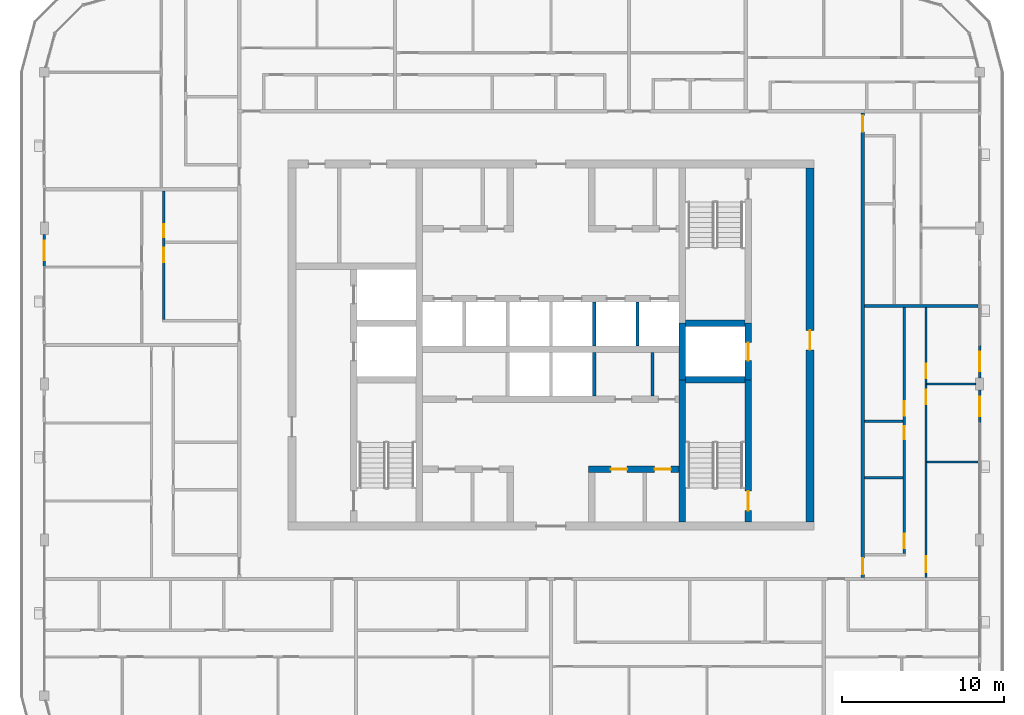
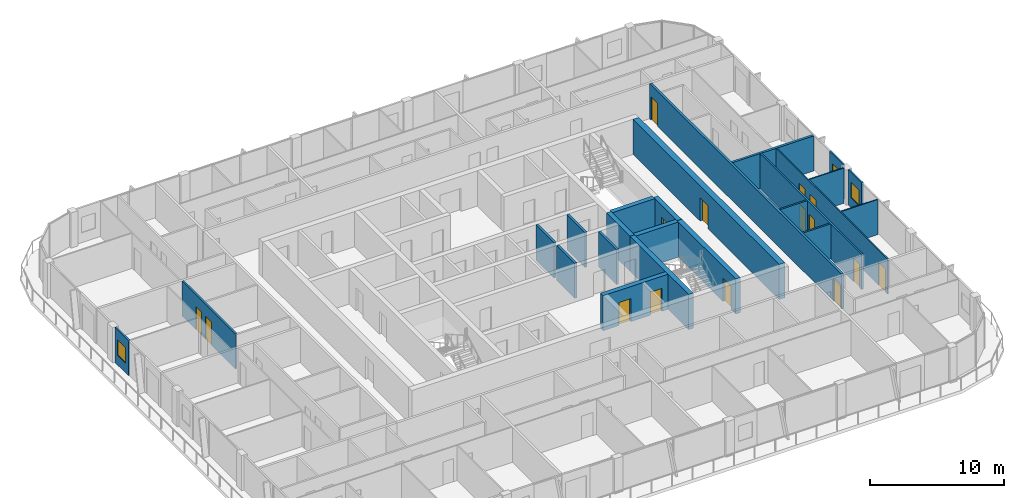
# One storey, part 12 of 21: 24 walls, 15 doors, 3 windows, 18 openings.
"""IFC4 building model written with IfcOpenShell, lengths in metres."""

from ifc_helpers import new_model, si_unit, direction, frame, frame_2d, origin, place, context, subcontext, project, spatial, rectangle, extrude, material, layer, layer_set, type_object, element, fill, save


model = new_model("IFC4")

# Units and contexts
model_context = context("Model", 3, precision=1e-05, world=origin(), true_north=direction((0.0, 1.0)))
body_context = subcontext(model_context, "Body", "Model", "MODEL_VIEW")
ifc_project = project(units=[si_unit("LENGTHUNIT", "METRE"), si_unit("AREAUNIT", "SQUARE_METRE"), si_unit("VOLUMEUNIT", "CUBIC_METRE"), si_unit("PLANEANGLEUNIT", "RADIAN"), si_unit("MASSUNIT", "GRAM", prefix="KILO")], contexts=[model_context])

# Site, building, storey
site_placement = place(None, origin())
site = spatial("IfcSite", under=ifc_project, at=site_placement, CompositionType="ELEMENT")
building_placement = place(site_placement, origin())
building = spatial("IfcBuilding", under=site, at=building_placement, Name="Madar Terraces", CompositionType="ELEMENT")
storey_placement = place(building_placement, frame((0.0, 0.0, 272.10009765625)))
storey = spatial("IfcBuildingStorey", under=building, at=storey_placement, Name="L71", CompositionType="ELEMENT", Elevation=272.10009765625)

# Walls
ifc_material_1 = material(Name="Concrete C50/60", Category="concrete")
ifc_layer_1 = layer(ifc_material_1, 0.39990234375)
ifc_layer_set_1 = layer_set([ifc_layer_1], Name="Concrete C50/60 (CIW6 RC wall 400)")
wall_type_1 = type_object("IfcWallType", Name="CIW6 RC wall 400", PredefinedType="SHEAR", material=ifc_layer_set_1)
wall_1_placement = place(storey_placement, frame((39.300048828125, 15.5, 0.0), z_axis=(0.0, 0.0, 1.0), x_axis=(0.0, 1.0, 0.0)))
element("IfcWall", 1, at=wall_1_placement, inside=storey, type_object=wall_type_1, Name="CORE SHAFT WALL", PredefinedType="SHEAR", context=body_context, shape_type="SweptSolid", body=[
    extrude(rectangle(XDim=8.75, YDim=0.39990234375, at=frame_2d((4.375, 0.0))), origin(), (0.0, 0.0, 1.0), 3.199951171875),
])
wall_2_placement = place(storey_placement, frame((39.300048828125, 24.25, 0.0), z_axis=(0.0, 0.0, 1.0), x_axis=(0.0, 1.0, 0.0)))
element("IfcWall", 2, at=wall_2_placement, inside=storey, type_object=wall_type_1, Name="CORE SHAFT WALL", PredefinedType="SHEAR", context=body_context, shape_type="SweptSolid", body=[
    extrude(rectangle(XDim=3.5, YDim=0.39990234375, at=frame_2d((1.75, 0.0))), origin(), (0.0, 0.0, 1.0), 3.199951171875),
])

# Wall, opening, door
wall_3_placement = place(storey_placement, frame((43.35009765625, 15.5, 0.0), z_axis=(0.0, 0.0, 1.0), x_axis=(0.0, 1.0, 0.0)))
wall_3 = element("IfcWall", 3, at=wall_3_placement, inside=storey, type_object=wall_type_1, Name="CORE SHAFT WALL", PredefinedType="SHEAR", context=body_context, shape_type="SweptSolid", body=[
    extrude(rectangle(XDim=8.75, YDim=0.39990234375, at=frame_2d((4.375, 0.0))), origin(), (0.0, 0.0, 1.0), 3.199951171875),
])
opening_1_placement = place(wall_3_placement, frame((0.699951171875, 0.0, 0.0)))
opening_1 = element("IfcOpeningElement", 4, at=opening_1_placement, cuts=wall_3, Name="Opening SD1", PredefinedType="OPENING", context=body_context, shape_type="SweptSolid", body=[
    extrude(rectangle(XDim=1.199951171875, YDim=2.10009765625, at=frame_2d((0.60009765625, 1.050048828125))), frame((0.0, 0.2099609375, 0.0), z_axis=(0.0, -1.0, 0.0), x_axis=(1.0, 0.0, 0.0)), (0.0, 0.0, 1.0), 0.419921875),
])
ifc_material_2 = material(Name="Steel door leaf", Category="steel")
door_type_1 = type_object("IfcDoorType", Name="Stair door 1200 x 2100", OperationType="NOTDEFINED", PredefinedType="DOOR", material=ifc_material_2)
door_1_placement = place(opening_1_placement, origin())
door_1 = element("IfcDoor", 5, at=door_1_placement, inside=storey, type_object=door_type_1, Name="STAIR DOOR", OperationType="SINGLE_SWING_RIGHT", OverallHeight=2.10009765625, OverallWidth=1.199951171875, PredefinedType="DOOR", context=body_context, shape_type="SweptSolid", body=[
    extrude(rectangle(XDim=1.199951171875, YDim=2.10009765625, at=frame_2d((0.60009765625, 1.050048828125))), frame((0.0, 0.02490234375, 0.0), z_axis=(0.0, -1.0, 0.0), x_axis=(1.0, 0.0, 0.0)), (0.0, 0.0, 1.0), 0.050048828125),
])
fill(opening_1, door_1)

wall_4_placement = place(storey_placement, frame((43.35009765625, 24.25, 0.0), z_axis=(0.0, 0.0, 1.0), x_axis=(0.0, 1.0, 0.0)))
wall_4 = element("IfcWall", 6, at=wall_4_placement, inside=storey, type_object=wall_type_1, Name="CORE SHAFT WALL", PredefinedType="SHEAR", context=body_context, shape_type="SweptSolid", body=[
    extrude(rectangle(XDim=3.5, YDim=0.39990234375, at=frame_2d((1.75, 0.0))), origin(), (0.0, 0.0, 1.0), 3.199951171875),
])
opening_2_placement = place(wall_4_placement, frame((1.199951171875, 0.0, 0.0)))
opening_2 = element("IfcOpeningElement", 7, at=opening_2_placement, cuts=wall_4, Name="Opening LD", PredefinedType="OPENING", context=body_context, shape_type="SweptSolid", body=[
    extrude(rectangle(XDim=1.10009765625, YDim=2.10009765625, at=frame_2d((0.550048828125, 1.050048828125))), frame((0.0, 0.2099609375, 0.0), z_axis=(0.0, -1.0, 0.0), x_axis=(1.0, 0.0, 0.0)), (0.0, 0.0, 1.0), 0.419921875),
])
ifc_material_3 = material(Name="Stainless steel panel", Category="steel")
door_type_2 = type_object("IfcDoorType", Name="Lift landing door 1100 x 2100", OperationType="DOUBLE_DOOR_SLIDING", PredefinedType="DOOR", material=ifc_material_3)
door_2_placement = place(opening_2_placement, origin())
door_2 = element("IfcDoor", 8, at=door_2_placement, inside=storey, type_object=door_type_2, Name="LIFT LANDING DOOR", OperationType="DOUBLE_DOOR_SLIDING", OverallHeight=2.10009765625, OverallWidth=1.10009765625, PredefinedType="DOOR", context=body_context, shape_type="SweptSolid", body=[
    extrude(rectangle(XDim=1.10009765625, YDim=2.10009765625, at=frame_2d((0.550048828125, 1.050048828125))), frame((0.0, 0.02490234375, 0.0), z_axis=(0.0, -1.0, 0.0), x_axis=(1.0, 0.0, 0.0)), (0.0, 0.0, 1.0), 0.050048828125),
])
fill(opening_2, door_2)

# Walls
for number, where, z_axis, x_axis, name in (
    (9, (39.5, 24.25, 0.0), (0.0, 0.0, 1.0), (1.0, 0.0, 0.0), "CORE SHAFT WALL"),
    (10, (39.5, 27.75, 0.0), (0.0, 0.0, 1.0), (1.0, 0.0, 0.0), "CORE SHAFT WALL"),
):
    element("IfcWall", number, at=place(storey_placement, frame(where, z_axis=z_axis, x_axis=x_axis)), inside=storey, type_object=wall_type_1, Name=name, PredefinedType="SHEAR", context=body_context, shape_type="SweptSolid", body=[
        extrude(rectangle(XDim=3.64990234375, YDim=0.39990234375, at=frame_2d((1.824951171875, 0.0))), origin(), (0.0, 0.0, 1.0), 3.199951171875),
    ])

# Wall, openings, doors
wall_5_placement = place(storey_placement, frame((33.5, 18.75, 0.0), z_axis=(0.0, 0.0, 1.0), x_axis=(1.0, 0.0, 0.0)))
wall_5 = element("IfcWall", 11, at=wall_5_placement, inside=storey, type_object=wall_type_1, Name="CORE SHAFT WALL", PredefinedType="SHEAR", context=body_context, shape_type="SweptSolid", body=[
    extrude(rectangle(XDim=5.60009765625, YDim=0.39990234375, at=frame_2d((2.800048828125, 0.0))), origin(), (0.0, 0.0, 1.0), 3.199951171875),
])
opening_3_placement = place(wall_5_placement, frame((1.384033203125, 0.0, 0.0)))
opening_3 = element("IfcOpeningElement", 12, at=opening_3_placement, cuts=wall_5, Name="Opening KD2", PredefinedType="OPENING", context=body_context, shape_type="SweptSolid", body=[
    extrude(rectangle(XDim=1.0, YDim=2.10009765625, at=frame_2d((0.5, 1.050048828125))), frame((0.0, 0.2099609375, 0.0), z_axis=(0.0, -1.0, 0.0), x_axis=(1.0, 0.0, 0.0)), (0.0, 0.0, 1.0), 0.419921875),
])
opening_4_placement = place(wall_5_placement, frame((4.083984375, 0.0, 0.0)))
opening_4 = element("IfcOpeningElement", 13, at=opening_4_placement, cuts=wall_5, Name="Opening KD2", PredefinedType="OPENING", context=body_context, shape_type="SweptSolid", body=[
    extrude(rectangle(XDim=1.0, YDim=2.10009765625, at=frame_2d((0.5, 1.050048828125))), frame((0.0, 0.2099609375, 0.0), z_axis=(0.0, -1.0, 0.0), x_axis=(1.0, 0.0, 0.0)), (0.0, 0.0, 1.0), 0.419921875),
])
ifc_material_4 = material(Name="Steel door leaf", Category="steel")
door_type_3 = type_object("IfcDoorType", Name="Service room door 1000 x 2100", OperationType="NOTDEFINED", PredefinedType="DOOR", material=ifc_material_4)
door_3_placement = place(opening_3_placement, origin())
door_3 = element("IfcDoor", 14, at=door_3_placement, inside=storey, type_object=door_type_3, Name="SERVICE ROOM DOOR", OperationType="SINGLE_SWING_LEFT", OverallHeight=2.10009765625, OverallWidth=1.0, PredefinedType="DOOR", context=body_context, shape_type="SweptSolid", body=[
    extrude(rectangle(XDim=1.0, YDim=2.10009765625, at=frame_2d((0.5, 1.050048828125))), frame((0.0, 0.02490234375, 0.0), z_axis=(0.0, -1.0, 0.0), x_axis=(1.0, 0.0, 0.0)), (0.0, 0.0, 1.0), 0.050048828125),
])
fill(opening_3, door_3)
door_4_placement = place(opening_4_placement, origin())
door_4 = element("IfcDoor", 15, at=door_4_placement, inside=storey, type_object=door_type_3, Name="SERVICE ROOM DOOR", OperationType="SINGLE_SWING_RIGHT", OverallHeight=2.10009765625, OverallWidth=1.0, PredefinedType="DOOR", context=body_context, shape_type="SweptSolid", body=[
    extrude(rectangle(XDim=1.0, YDim=2.10009765625, at=frame_2d((0.5, 1.050048828125))), frame((0.0, 0.02490234375, 0.0), z_axis=(0.0, -1.0, 0.0), x_axis=(1.0, 0.0, 0.0)), (0.0, 0.0, 1.0), 0.050048828125),
])
fill(opening_4, door_4)

# Wall, opening, door
ifc_material_5 = material(Name="Concrete C50/60", Category="concrete")
ifc_layer_2 = layer(ifc_material_5, 0.5)
ifc_layer_set_2 = layer_set([ifc_layer_2], Name="Concrete C50/60 (CRW6 RC wall 500)")
wall_type_2 = type_object("IfcWallType", Name="CRW6 RC wall 500", PredefinedType="SHEAR", material=ifc_layer_set_2)
wall_6_placement = place(storey_placement, frame((47.14990234375, 15.5, 0.0), z_axis=(0.0, 0.0, 1.0), x_axis=(0.0, 1.0, 0.0)))
wall_6 = element("IfcWall", 16, at=wall_6_placement, inside=storey, type_object=wall_type_2, Name="CORE OUTER WALL", PredefinedType="SHEAR", context=body_context, shape_type="SweptSolid", body=[
    extrude(rectangle(XDim=21.800048828125, YDim=0.5, at=frame_2d((10.89990234375, 0.0))), origin(), (0.0, 0.0, 1.0), 3.199951171875),
])
opening_5_placement = place(wall_6_placement, frame((10.60009765625, 0.0, 0.0)))
opening_5 = element("IfcOpeningElement", 17, at=opening_5_placement, cuts=wall_6, Name="Opening SD1", PredefinedType="OPENING", context=body_context, shape_type="SweptSolid", body=[
    extrude(rectangle(XDim=1.199951171875, YDim=2.10009765625, at=frame_2d((0.60009765625, 1.050048828125))), frame((0.0, 0.260009765625, 0.0), z_axis=(0.0, -1.0, 0.0), x_axis=(1.0, 0.0, 0.0)), (0.0, 0.0, 1.0), 0.52001953125),
])
door_5_placement = place(opening_5_placement, origin())
door_5 = element("IfcDoor", 18, at=door_5_placement, inside=storey, type_object=door_type_1, Name="STAIR DOOR", OperationType="SINGLE_SWING_LEFT", OverallHeight=2.10009765625, OverallWidth=1.199951171875, PredefinedType="DOOR", context=body_context, shape_type="SweptSolid", body=[
    extrude(rectangle(XDim=1.199951171875, YDim=2.10009765625, at=frame_2d((0.60009765625, 1.050048828125))), frame((0.0, 0.02490234375, 0.0), z_axis=(0.0, -1.0, 0.0), x_axis=(1.0, 0.0, 0.0)), (0.0, 0.0, 1.0), 0.050048828125),
])
fill(opening_5, door_5)

# Walls
ifc_material_6 = material(Name="Masonry blockwork", Category="masonry")
ifc_layer_3 = layer(ifc_material_6, 0.199951171875)
ifc_layer_set_3 = layer_set([ifc_layer_3], Name="Core partition 200 blockwork")
wall_type_3 = type_object("IfcWallType", Name="Core partition 200 blockwork", PredefinedType="PARTITIONING", material=ifc_layer_set_3)
wall_7_placement = place(storey_placement, frame((37.457275390625, 23.25, 0.0), z_axis=(0.0, 0.0, 1.0), x_axis=(0.0, 1.0, 0.0)))
element("IfcWall", 19, at=wall_7_placement, inside=storey, type_object=wall_type_3, Name="SERVICE ROOM PARTITION", PredefinedType="PARTITIONING", context=body_context, shape_type="SweptSolid", body=[
    extrude(rectangle(XDim=2.699951171875, YDim=0.199951171875, at=frame_2d((1.35009765625, 0.0))), origin(), (0.0, 0.0, 1.0), 3.199951171875),
])
ifc_material_7 = material(Name="Concrete C40/50", Category="concrete")
ifc_layer_4 = layer(ifc_material_7, 0.199951171875)
ifc_layer_set_4 = layer_set([ifc_layer_4], Name="Core shaft dividing wall 200 C40/50")
wall_type_4 = type_object("IfcWallType", Name="Core shaft dividing wall 200 C40/50", PredefinedType="SOLIDWALL", material=ifc_layer_set_4)
for number, where, z_axis, x_axis, name in (
    (20, (33.86669921875, 23.25, 0.0), (0.0, 0.0, 1.0), (0.0, 1.0, 0.0), "SHAFT DIVIDING WALL"),
    (21, (33.86669921875, 26.35009765625, 0.0), (0.0, 0.0, 1.0), (0.0, 1.0, 0.0), "SHAFT DIVIDING WALL"),
    (22, (36.533447265625, 26.35009765625, 0.0), (0.0, 0.0, 1.0), (0.0, 1.0, 0.0), "SHAFT DIVIDING WALL"),
):
    element("IfcWall", number, at=place(storey_placement, frame(where, z_axis=z_axis, x_axis=x_axis)), inside=storey, type_object=wall_type_4, Name=name, PredefinedType="SOLIDWALL", context=body_context, shape_type="SweptSolid", body=[
        extrude(rectangle(XDim=2.699951171875, YDim=0.199951171875, at=frame_2d((1.35009765625, 0.0))), origin(), (0.0, 0.0, 1.0), 3.199951171875),
    ])

# Wall, opening, window
ifc_material_8 = material(Name="Aluminium composite panel, black, over insulated backing", Category="aluminium")
ifc_layer_5 = layer(ifc_material_8, 0.14990234375)
ifc_layer_set_5 = layer_set([ifc_layer_5], Name="Facade bay panel 150")
wall_type_5 = type_object("IfcWallType", Name="Facade bay panel 150", PredefinedType="SOLIDWALL", material=ifc_layer_set_5)
wall_8_placement = place(storey_placement, frame((57.60009765625, 21.60009765625, 0.0), z_axis=(0.0, 0.0, 1.0), x_axis=(0.0, 1.0, 0.0)))
wall_8 = element("IfcWall", 23, at=wall_8_placement, inside=storey, type_object=wall_type_5, Name="Facade bay panel", PredefinedType="SOLIDWALL", context=body_context, shape_type="SweptSolid", body=[
    extrude(rectangle(XDim=2.02490234375, YDim=0.14990234375, at=frame_2d((1.012451171875, 0.0))), origin(), (0.0, 0.0, 1.0), 3.199951171875),
])
opening_6_placement = place(wall_8_placement, frame((0.41259765625, 0.0, 0.89990234375)))
opening_6 = element("IfcOpeningElement", 24, at=opening_6_placement, cuts=wall_8, Name="Opening W1", PredefinedType="OPENING", context=body_context, shape_type="SweptSolid", body=[
    extrude(rectangle(XDim=1.199951171875, YDim=1.39990234375, at=frame_2d((0.60009765625, 0.699951171875))), frame((0.0, 0.0849609375, 0.0), z_axis=(0.0, -1.0, 0.0), x_axis=(1.0, 0.0, 0.0)), (0.0, 0.0, 1.0), 0.169921875),
])
ifc_material_9 = material(Name="Glass, clear, with black aluminium frame", Category="aluminium")
window_type = type_object("IfcWindowType", Name="Vent window 1200 x 1400", PartitioningType="SINGLE_PANEL", PredefinedType="WINDOW", material=ifc_material_9)
window_1_placement = place(opening_6_placement, origin())
window_1 = element("IfcWindow", 25, at=window_1_placement, inside=storey, type_object=window_type, Name="Operable vent window", OverallHeight=1.39990234375, OverallWidth=1.199951171875, PartitioningType="SINGLE_PANEL", PredefinedType="WINDOW", context=body_context, shape_type="SweptSolid", body=[
    extrude(rectangle(XDim=1.199951171875, YDim=1.39990234375, at=frame_2d((0.60009765625, 0.699951171875))), frame((0.0, 0.030029296875, 0.0), z_axis=(0.0, -1.0, 0.0), x_axis=(1.0, 0.0, 0.0)), (0.0, 0.0, 1.0), 0.06005859375),
])
fill(opening_6, window_1)

wall_9_placement = place(storey_placement, frame((57.60009765625, 24.375, 0.0), z_axis=(0.0, 0.0, 1.0), x_axis=(0.0, 1.0, 0.0)))
wall_9 = element("IfcWall", 26, at=wall_9_placement, inside=storey, type_object=wall_type_5, Name="Facade bay panel", PredefinedType="SOLIDWALL", context=body_context, shape_type="SweptSolid", body=[
    extrude(rectangle(XDim=2.02490234375, YDim=0.14990234375, at=frame_2d((1.012451171875, 0.0))), origin(), (0.0, 0.0, 1.0), 3.199951171875),
])
opening_7_placement = place(wall_9_placement, frame((0.41259765625, 0.0, 0.89990234375)))
opening_7 = element("IfcOpeningElement", 27, at=opening_7_placement, cuts=wall_9, Name="Opening W1", PredefinedType="OPENING", context=body_context, shape_type="SweptSolid", body=[
    extrude(rectangle(XDim=1.199951171875, YDim=1.39990234375, at=frame_2d((0.60009765625, 0.699951171875))), frame((0.0, 0.0849609375, 0.0), z_axis=(0.0, -1.0, 0.0), x_axis=(1.0, 0.0, 0.0)), (0.0, 0.0, 1.0), 0.169921875),
])
window_2_placement = place(opening_7_placement, origin())
window_2 = element("IfcWindow", 28, at=window_2_placement, inside=storey, type_object=window_type, Name="Operable vent window", OverallHeight=1.39990234375, OverallWidth=1.199951171875, PartitioningType="SINGLE_PANEL", PredefinedType="WINDOW", context=body_context, shape_type="SweptSolid", body=[
    extrude(rectangle(XDim=1.199951171875, YDim=1.39990234375, at=frame_2d((0.60009765625, 0.699951171875))), frame((0.0, 0.030029296875, 0.0), z_axis=(0.0, -1.0, 0.0), x_axis=(1.0, 0.0, 0.0)), (0.0, 0.0, 1.0), 0.06005859375),
])
fill(opening_7, window_2)

wall_10_placement = place(storey_placement, frame((0.0, 33.22509765625, 0.0), z_axis=(0.0, 0.0, 1.0), x_axis=(0.0, -1.0, 0.0)))
wall_10 = element("IfcWall", 29, at=wall_10_placement, inside=storey, type_object=wall_type_5, Name="Facade bay panel", PredefinedType="SOLIDWALL", context=body_context, shape_type="SweptSolid", body=[
    extrude(rectangle(XDim=2.025146484375, YDim=0.14990234375, at=frame_2d((1.0126953125, 0.0))), origin(), (0.0, 0.0, 1.0), 3.199951171875),
])
opening_8_placement = place(wall_10_placement, frame((0.41259765625, 0.0, 0.89990234375)))
opening_8 = element("IfcOpeningElement", 30, at=opening_8_placement, cuts=wall_10, Name="Opening W1", PredefinedType="OPENING", context=body_context, shape_type="SweptSolid", body=[
    extrude(rectangle(XDim=1.199951171875, YDim=1.39990234375, at=frame_2d((0.60009765625, 0.699951171875))), frame((0.0, 0.0849609375, 0.0), z_axis=(0.0, -1.0, 0.0), x_axis=(1.0, 0.0, 0.0)), (0.0, 0.0, 1.0), 0.169921875),
])
window_3_placement = place(opening_8_placement, origin())
window_3 = element("IfcWindow", 31, at=window_3_placement, inside=storey, type_object=window_type, Name="Operable vent window", OverallHeight=1.39990234375, OverallWidth=1.199951171875, PartitioningType="SINGLE_PANEL", PredefinedType="WINDOW", context=body_context, shape_type="SweptSolid", body=[
    extrude(rectangle(XDim=1.199951171875, YDim=1.39990234375, at=frame_2d((0.60009765625, 0.699951171875))), frame((0.0, 0.030029296875, 0.0), z_axis=(0.0, -1.0, 0.0), x_axis=(1.0, 0.0, 0.0)), (0.0, 0.0, 1.0), 0.06005859375),
])
fill(opening_8, window_3)

# Walls
ifc_material_10 = material(Name="Gypsum board on steel studs", Category="steel")
ifc_layer_6 = layer(ifc_material_10, 0.10009765625)
ifc_layer_set_6 = layer_set([ifc_layer_6], Name="Flat partition 100")
wall_type_6 = type_object("IfcWallType", Name="Flat partition 100", PredefinedType="PARTITIONING", material=ifc_layer_set_6)
wall_11_placement = place(storey_placement, frame((54.35009765625, 19.199951171875, 0.0), z_axis=(0.0, 0.0, 1.0), x_axis=(1.0, 0.0, 0.0)))
element("IfcWall", 32, at=wall_11_placement, inside=storey, type_object=wall_type_6, Name="Flat partition 100", PredefinedType="PARTITIONING", context=body_context, shape_type="SweptSolid", body=[
    extrude(rectangle(XDim=3.14990234375, YDim=0.10009765625, at=frame_2d((1.574951171875, 0.0))), origin(), (0.0, 0.0, 1.0), 3.199951171875),
])
wall_12_placement = place(storey_placement, frame((54.35009765625, 24.0, 0.0), z_axis=(0.0, 0.0, 1.0), x_axis=(1.0, 0.0, 0.0)))
element("IfcWall", 33, at=wall_12_placement, inside=storey, type_object=wall_type_6, Name="Flat partition 100", PredefinedType="PARTITIONING", context=body_context, shape_type="SweptSolid", body=[
    extrude(rectangle(XDim=3.0, YDim=0.10009765625, at=frame_2d((1.5, 0.0))), origin(), (0.0, 0.0, 1.0), 3.199951171875),
])

# Wall, openings, doors
wall_13_placement = place(storey_placement, frame((54.300048828125, 28.699951171875, 0.0), z_axis=(0.0, 0.0, 1.0), x_axis=(0.0, -1.0, 0.0)))
wall_13 = element("IfcWall", 34, at=wall_13_placement, inside=storey, type_object=wall_type_6, Name="Flat partition 100", PredefinedType="PARTITIONING", context=body_context, shape_type="SweptSolid", body=[
    extrude(rectangle(XDim=16.599853515625, YDim=0.10009765625, at=frame_2d((8.2998046875, 0.0))), origin(), (0.0, 0.0, 1.0), 3.199951171875),
])
opening_9_placement = place(wall_13_placement, frame((15.300048828125, 0.0, 0.0)))
opening_9 = element("IfcOpeningElement", 35, at=opening_9_placement, cuts=wall_13, Name="Opening D3", PredefinedType="OPENING", context=body_context, shape_type="SweptSolid", body=[
    extrude(rectangle(XDim=1.0, YDim=2.10009765625, at=frame_2d((0.5, 1.050048828125))), frame((0.0, 0.06005859375, 0.0), z_axis=(0.0, -1.0, 0.0), x_axis=(1.0, 0.0, 0.0)), (0.0, 0.0, 1.0), 0.1201171875),
])
opening_10_placement = place(wall_13_placement, frame((5.050048828125, 0.0, 0.0)))
opening_10 = element("IfcOpeningElement", 36, at=opening_10_placement, cuts=wall_13, Name="Opening D2", PredefinedType="OPENING", context=body_context, shape_type="SweptSolid", body=[
    extrude(rectangle(XDim=0.89990234375, YDim=2.10009765625, at=frame_2d((0.449951171875, 1.050048828125))), frame((0.0, 0.06005859375, 0.0), z_axis=(0.0, -1.0, 0.0), x_axis=(1.0, 0.0, 0.0)), (0.0, 0.0, 1.0), 0.1201171875),
])
opening_11_placement = place(wall_13_placement, frame((3.449951171875, 0.0, 0.0)))
opening_11 = element("IfcOpeningElement", 37, at=opening_11_placement, cuts=wall_13, Name="Opening D2", PredefinedType="OPENING", context=body_context, shape_type="SweptSolid", body=[
    extrude(rectangle(XDim=0.89990234375, YDim=2.10009765625, at=frame_2d((0.449951171875, 1.050048828125))), frame((0.0, 0.06005859375, 0.0), z_axis=(0.0, -1.0, 0.0), x_axis=(1.0, 0.0, 0.0)), (0.0, 0.0, 1.0), 0.1201171875),
])
ifc_material_11 = material(Name="Timber door leaf", Category="wood")
door_type_4 = type_object("IfcDoorType", Name="Flat living room door 1000", OperationType="NOTDEFINED", PredefinedType="DOOR", material=ifc_material_11)
door_6_placement = place(opening_9_placement, origin())
door_6 = element("IfcDoor", 38, at=door_6_placement, inside=storey, type_object=door_type_4, Name="Flat living room door 1000", OperationType="SINGLE_SWING_RIGHT", OverallHeight=2.10009765625, OverallWidth=1.0, PredefinedType="DOOR", context=body_context, shape_type="SweptSolid", body=[
    extrude(rectangle(XDim=1.0, YDim=2.10009765625, at=frame_2d((0.5, 1.050048828125))), frame((0.0, 0.02490234375, 0.0), z_axis=(0.0, -1.0, 0.0), x_axis=(1.0, 0.0, 0.0)), (0.0, 0.0, 1.0), 0.050048828125),
])
fill(opening_9, door_6)
ifc_material_12 = material(Name="Timber door leaf", Category="wood")
door_type_5 = type_object("IfcDoorType", Name="Flat room door 900", OperationType="NOTDEFINED", PredefinedType="DOOR", material=ifc_material_12)
door_7_placement = place(opening_10_placement, origin())
door_7 = element("IfcDoor", 39, at=door_7_placement, inside=storey, type_object=door_type_5, Name="Flat room door 900", OperationType="SINGLE_SWING_LEFT", OverallHeight=2.10009765625, OverallWidth=0.89990234375, PredefinedType="DOOR", context=body_context, shape_type="SweptSolid", body=[
    extrude(rectangle(XDim=0.89990234375, YDim=2.10009765625, at=frame_2d((0.449951171875, 1.050048828125))), frame((0.0, 0.02490234375, 0.0), z_axis=(0.0, -1.0, 0.0), x_axis=(1.0, 0.0, 0.0)), (0.0, 0.0, 1.0), 0.050048828125),
])
fill(opening_10, door_7)
door_8_placement = place(opening_11_placement, origin())
door_8 = element("IfcDoor", 40, at=door_8_placement, inside=storey, type_object=door_type_5, Name="Flat room door 900", OperationType="SINGLE_SWING_RIGHT", OverallHeight=2.10009765625, OverallWidth=0.89990234375, PredefinedType="DOOR", context=body_context, shape_type="SweptSolid", body=[
    extrude(rectangle(XDim=0.89990234375, YDim=2.10009765625, at=frame_2d((0.449951171875, 1.050048828125))), frame((0.0, 0.02490234375, 0.0), z_axis=(0.0, -1.0, 0.0), x_axis=(1.0, 0.0, 0.0)), (0.0, 0.0, 1.0), 0.050048828125),
])
fill(opening_11, door_8)

ifc_material_13 = material(Name="Lightweight blockwork", Category="masonry")
ifc_layer_7 = layer(ifc_material_13, 0.199951171875)
ifc_layer_set_7 = layer_set([ifc_layer_7], Name="Flat party and entrance wall 200")
wall_type_7 = type_object("IfcWallType", Name="Flat party and entrance wall 200", PredefinedType="PARTITIONING", material=ifc_layer_set_7)
wall_14_placement = place(storey_placement, frame((50.39990234375, 40.699951171875, 0.0), z_axis=(0.0, 0.0, 1.0), x_axis=(0.0, -1.0, 0.0)))
wall_14 = element("IfcWall", 41, at=wall_14_placement, inside=storey, type_object=wall_type_7, Name="Flat party and entrance wall 200", PredefinedType="PARTITIONING", context=body_context, shape_type="SweptSolid", body=[
    extrude(rectangle(XDim=28.599853515625, YDim=0.199951171875, at=frame_2d((14.2998046875, 0.0))), origin(), (0.0, 0.0, 1.0), 3.199951171875),
])
opening_12_placement = place(wall_14_placement, frame((27.425048828125, 0.0, 0.0)))
opening_12 = element("IfcOpeningElement", 42, at=opening_12_placement, cuts=wall_14, Name="Opening D1", PredefinedType="OPENING", context=body_context, shape_type="SweptSolid", body=[
    extrude(rectangle(XDim=1.0, YDim=2.10009765625, at=frame_2d((0.5, 1.050048828125))), frame((0.0, 0.10986328125, 0.0), z_axis=(0.0, -1.0, 0.0), x_axis=(1.0, 0.0, 0.0)), (0.0, 0.0, 1.0), 0.219970703125),
])
opening_13_placement = place(wall_14_placement, frame((0.175048828125, 0.0, 0.0)))
opening_13 = element("IfcOpeningElement", 43, at=opening_13_placement, cuts=wall_14, Name="Opening D1", PredefinedType="OPENING", context=body_context, shape_type="SweptSolid", body=[
    extrude(rectangle(XDim=1.0, YDim=2.10009765625, at=frame_2d((0.5, 1.050048828125))), frame((0.0, 0.10986328125, 0.0), z_axis=(0.0, -1.0, 0.0), x_axis=(1.0, 0.0, 0.0)), (0.0, 0.0, 1.0), 0.219970703125),
])
ifc_material_14 = material(Name="Timber fire door leaf", Category="wood")
door_type_6 = type_object("IfcDoorType", Name="Flat entrance door 1000 FD30S", OperationType="NOTDEFINED", PredefinedType="DOOR", material=ifc_material_14)
door_9_placement = place(opening_12_placement, origin())
door_9 = element("IfcDoor", 44, at=door_9_placement, inside=storey, type_object=door_type_6, Name="Flat entrance door 1000 FD30S", OperationType="SINGLE_SWING_RIGHT", OverallHeight=2.10009765625, OverallWidth=1.0, PredefinedType="DOOR", context=body_context, shape_type="SweptSolid", body=[
    extrude(rectangle(XDim=1.0, YDim=2.10009765625, at=frame_2d((0.5, 1.050048828125))), frame((0.0, 0.02490234375, 0.0), z_axis=(0.0, -1.0, 0.0), x_axis=(1.0, 0.0, 0.0)), (0.0, 0.0, 1.0), 0.050048828125),
])
fill(opening_12, door_9)
door_10_placement = place(opening_13_placement, origin())
door_10 = element("IfcDoor", 45, at=door_10_placement, inside=storey, type_object=door_type_6, Name="Flat entrance door 1000 FD30S", OperationType="SINGLE_SWING_LEFT", OverallHeight=2.10009765625, OverallWidth=1.0, PredefinedType="DOOR", context=body_context, shape_type="SweptSolid", body=[
    extrude(rectangle(XDim=1.0, YDim=2.10009765625, at=frame_2d((0.5, 1.050048828125))), frame((0.0, 0.02490234375, 0.0), z_axis=(0.0, -1.0, 0.0), x_axis=(1.0, 0.0, 0.0)), (0.0, 0.0, 1.0), 0.050048828125),
])
fill(opening_13, door_10)

# Walls
wall_15_placement = place(storey_placement, frame((50.5, 28.800048828125, 0.0), z_axis=(0.0, 0.0, 1.0), x_axis=(1.0, 0.0, 0.0)))
element("IfcWall", 46, at=wall_15_placement, inside=storey, type_object=wall_type_7, Name="Flat party and entrance wall 200", PredefinedType="PARTITIONING", context=body_context, shape_type="SweptSolid", body=[
    extrude(rectangle(XDim=7.0, YDim=0.199951171875, at=frame_2d((3.5, 0.0))), origin(), (0.0, 0.0, 1.0), 3.199951171875),
])
ifc_material_15 = material(Name="Lightweight blockwork", Category="masonry")
ifc_layer_8 = layer(ifc_material_15, 0.14990234375)
ifc_layer_set_8 = layer_set([ifc_layer_8], Name="Flat wet-room partition 150")
wall_type_8 = type_object("IfcWallType", Name="Flat wet-room partition 150", PredefinedType="PARTITIONING", material=ifc_layer_set_8)
for number, where, z_axis, x_axis, name in (
    (47, (50.5, 18.228759765625, 0.0), (0.0, 0.0, 1.0), (1.0, 0.0, 0.0), "Flat wet-room partition 150"),
    (48, (50.5, 21.71923828125, 0.0), (0.0, 0.0, 1.0), (1.0, 0.0, 0.0), "Flat wet-room partition 150"),
):
    element("IfcWall", number, at=place(storey_placement, frame(where, z_axis=z_axis, x_axis=x_axis)), inside=storey, type_object=wall_type_8, Name=name, PredefinedType="PARTITIONING", context=body_context, shape_type="SweptSolid", body=[
        extrude(rectangle(XDim=2.375, YDim=0.14990234375, at=frame_2d((1.1875, 0.0))), origin(), (0.0, 0.0, 1.0), 3.199951171875),
    ])

# Wall, openings, doors
wall_16_placement = place(storey_placement, frame((52.949951171875, 13.574951171875, 0.0), z_axis=(0.0, 0.0, 1.0), x_axis=(0.0, 1.0, 0.0)))
wall_16 = element("IfcWall", 49, at=wall_16_placement, inside=storey, type_object=wall_type_8, Name="Flat wet-room partition 150", PredefinedType="PARTITIONING", context=body_context, shape_type="SweptSolid", body=[
    extrude(rectangle(XDim=15.125, YDim=0.14990234375, at=frame_2d((7.5625, 0.0))), origin(), (0.0, 0.0, 1.0), 3.199951171875),
])
opening_14_placement = place(wall_16_placement, frame((0.300048828125, 0.0, 0.0)))
opening_14 = element("IfcOpeningElement", 50, at=opening_14_placement, cuts=wall_16, Name="Opening D5", PredefinedType="OPENING", context=body_context, shape_type="SweptSolid", body=[
    extrude(rectangle(XDim=0.89990234375, YDim=2.10009765625, at=frame_2d((0.449951171875, 1.050048828125))), frame((0.0, 0.0849609375, 0.0), z_axis=(0.0, -1.0, 0.0), x_axis=(1.0, 0.0, 0.0)), (0.0, 0.0, 1.0), 0.169921875),
])
opening_15_placement = place(wall_16_placement, frame((7.019287109375, 0.0, 0.0)))
opening_15 = element("IfcOpeningElement", 51, at=opening_15_placement, cuts=wall_16, Name="Opening D4", PredefinedType="OPENING", context=body_context, shape_type="SweptSolid", body=[
    extrude(rectangle(XDim=0.800048828125, YDim=2.10009765625, at=frame_2d((0.39990234375, 1.050048828125))), frame((0.0, 0.0849609375, 0.0), z_axis=(0.0, -1.0, 0.0), x_axis=(1.0, 0.0, 0.0)), (0.0, 0.0, 1.0), 0.169921875),
])
opening_16_placement = place(wall_16_placement, frame((8.46923828125, 0.0, 0.0)))
opening_16 = element("IfcOpeningElement", 52, at=opening_16_placement, cuts=wall_16, Name="Opening D2", PredefinedType="OPENING", context=body_context, shape_type="SweptSolid", body=[
    extrude(rectangle(XDim=0.89990234375, YDim=2.10009765625, at=frame_2d((0.449951171875, 1.050048828125))), frame((0.0, 0.0849609375, 0.0), z_axis=(0.0, -1.0, 0.0), x_axis=(1.0, 0.0, 0.0)), (0.0, 0.0, 1.0), 0.169921875),
])
ifc_material_16 = material(Name="Timber door leaf", Category="wood")
door_type_7 = type_object("IfcDoorType", Name="Flat accessible bathroom door 900", OperationType="NOTDEFINED", PredefinedType="DOOR", material=ifc_material_16)
door_11_placement = place(opening_14_placement, origin())
door_11 = element("IfcDoor", 53, at=door_11_placement, inside=storey, type_object=door_type_7, Name="Flat accessible bathroom door 900", OperationType="SINGLE_SWING_LEFT", OverallHeight=2.10009765625, OverallWidth=0.89990234375, PredefinedType="DOOR", context=body_context, shape_type="SweptSolid", body=[
    extrude(rectangle(XDim=0.89990234375, YDim=2.10009765625, at=frame_2d((0.449951171875, 1.050048828125))), frame((0.0, 0.02490234375, 0.0), z_axis=(0.0, -1.0, 0.0), x_axis=(1.0, 0.0, 0.0)), (0.0, 0.0, 1.0), 0.050048828125),
])
fill(opening_14, door_11)
ifc_material_17 = material(Name="Timber door leaf", Category="wood")
door_type_8 = type_object("IfcDoorType", Name="Flat bathroom door 800", OperationType="NOTDEFINED", PredefinedType="DOOR", material=ifc_material_17)
door_12_placement = place(opening_15_placement, origin())
door_12 = element("IfcDoor", 54, at=door_12_placement, inside=storey, type_object=door_type_8, Name="Flat bathroom door 800", OperationType="SINGLE_SWING_RIGHT", OverallHeight=2.10009765625, OverallWidth=0.800048828125, PredefinedType="DOOR", context=body_context, shape_type="SweptSolid", body=[
    extrude(rectangle(XDim=0.800048828125, YDim=2.10009765625, at=frame_2d((0.39990234375, 1.050048828125))), frame((0.0, 0.02490234375, 0.0), z_axis=(0.0, -1.0, 0.0), x_axis=(1.0, 0.0, 0.0)), (0.0, 0.0, 1.0), 0.050048828125),
])
fill(opening_15, door_12)
door_13_placement = place(opening_16_placement, origin())
door_13 = element("IfcDoor", 55, at=door_13_placement, inside=storey, type_object=door_type_5, Name="Flat room door 900", OperationType="SINGLE_SWING_LEFT", OverallHeight=2.10009765625, OverallWidth=0.89990234375, PredefinedType="DOOR", context=body_context, shape_type="SweptSolid", body=[
    extrude(rectangle(XDim=0.89990234375, YDim=2.10009765625, at=frame_2d((0.449951171875, 1.050048828125))), frame((0.0, 0.02490234375, 0.0), z_axis=(0.0, -1.0, 0.0), x_axis=(1.0, 0.0, 0.0)), (0.0, 0.0, 1.0), 0.050048828125),
])
fill(opening_16, door_13)

wall_17_placement = place(storey_placement, frame((7.35009765625, 35.89990234375, 0.0), z_axis=(0.0, 0.0, 1.0), x_axis=(0.0, -1.0, 0.0)))
wall_17 = element("IfcWall", 56, at=wall_17_placement, inside=storey, type_object=wall_type_8, Name="Flat wet-room partition 150", PredefinedType="PARTITIONING", context=body_context, shape_type="SweptSolid", body=[
    extrude(rectangle(XDim=7.9248046875, YDim=0.14990234375, at=frame_2d((3.96240234375, 0.0))), origin(), (0.0, 0.0, 1.0), 3.199951171875),
])
opening_17_placement = place(wall_17_placement, frame((3.4951171875, 0.0, 0.0)))
opening_17 = element("IfcOpeningElement", 57, at=opening_17_placement, cuts=wall_17, Name="Opening D2", PredefinedType="OPENING", context=body_context, shape_type="SweptSolid", body=[
    extrude(rectangle(XDim=0.89990234375, YDim=2.10009765625, at=frame_2d((0.449951171875, 1.050048828125))), frame((0.0, 0.0849609375, 0.0), z_axis=(0.0, -1.0, 0.0), x_axis=(1.0, 0.0, 0.0)), (0.0, 0.0, 1.0), 0.169921875),
])
opening_18_placement = place(wall_17_placement, frame((2.044921875, 0.0, 0.0)))
opening_18 = element("IfcOpeningElement", 58, at=opening_18_placement, cuts=wall_17, Name="Opening D4", PredefinedType="OPENING", context=body_context, shape_type="SweptSolid", body=[
    extrude(rectangle(XDim=0.800048828125, YDim=2.10009765625, at=frame_2d((0.39990234375, 1.050048828125))), frame((0.0, 0.0849609375, 0.0), z_axis=(0.0, -1.0, 0.0), x_axis=(1.0, 0.0, 0.0)), (0.0, 0.0, 1.0), 0.169921875),
])
door_14_placement = place(opening_18_placement, origin())
door_14 = element("IfcDoor", 59, at=door_14_placement, inside=storey, type_object=door_type_8, Name="Flat bathroom door 800", OperationType="SINGLE_SWING_RIGHT", OverallHeight=2.10009765625, OverallWidth=0.800048828125, PredefinedType="DOOR", context=body_context, shape_type="SweptSolid", body=[
    extrude(rectangle(XDim=0.800048828125, YDim=2.10009765625, at=frame_2d((0.39990234375, 1.050048828125))), frame((0.0, 0.02490234375, 0.0), z_axis=(0.0, -1.0, 0.0), x_axis=(1.0, 0.0, 0.0)), (0.0, 0.0, 1.0), 0.050048828125),
])
fill(opening_18, door_14)
door_15_placement = place(opening_17_placement, origin())
door_15 = element("IfcDoor", 60, at=door_15_placement, inside=storey, type_object=door_type_5, Name="Flat room door 900", OperationType="SINGLE_SWING_LEFT", OverallHeight=2.10009765625, OverallWidth=0.89990234375, PredefinedType="DOOR", context=body_context, shape_type="SweptSolid", body=[
    extrude(rectangle(XDim=0.89990234375, YDim=2.10009765625, at=frame_2d((0.449951171875, 1.050048828125))), frame((0.0, 0.02490234375, 0.0), z_axis=(0.0, -1.0, 0.0), x_axis=(1.0, 0.0, 0.0)), (0.0, 0.0, 1.0), 0.050048828125),
])
fill(opening_17, door_15)

save(model, "model.ifc")
